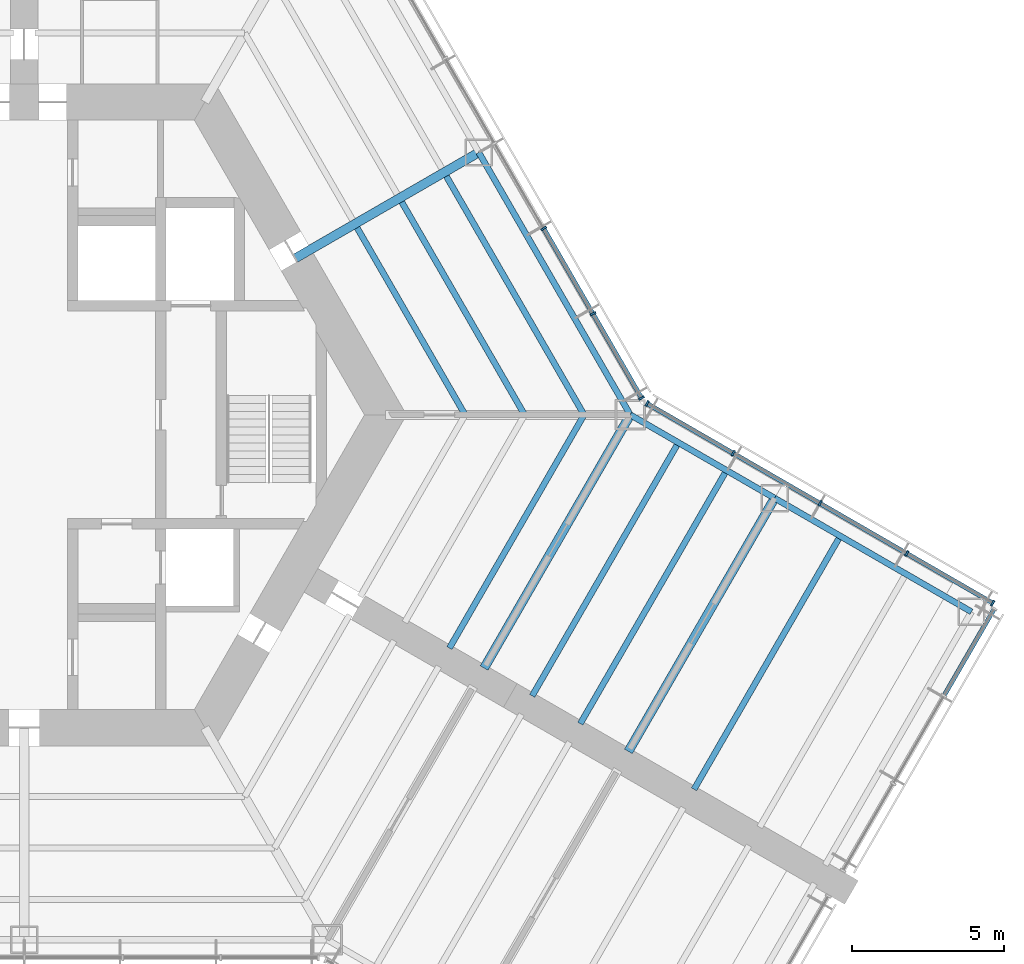
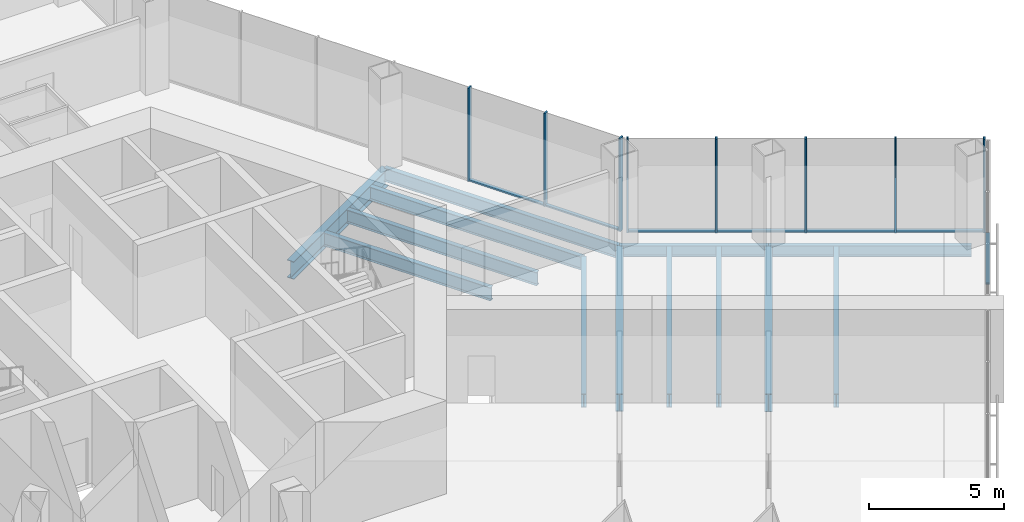
# One storey, part 5 of 15: 15 members, 13 beams, 3 elements without a shape of their own.
"""IFC4 building model written with IfcOpenShell, lengths in metres."""

from ifc_helpers import new_model, si_unit, direction, frame, origin, origin_2d, place, context, subcontext, project, spatial, rectangle, i_section, extrude, material, material_profile, profile_set, type_object, element, aggregate, save


model = new_model("IFC4")

# Units and contexts
model_context = context("Model", 3, precision=1e-05, world=origin(), true_north=direction((0.0, 1.0)))
body_context = subcontext(model_context, "Body", "Model", "MODEL_VIEW")
ifc_project = project(units=[si_unit("LENGTHUNIT", "METRE"), si_unit("AREAUNIT", "SQUARE_METRE"), si_unit("VOLUMEUNIT", "CUBIC_METRE"), si_unit("PLANEANGLEUNIT", "RADIAN"), si_unit("MASSUNIT", "GRAM", prefix="KILO")], contexts=[model_context])

# Site, building, storey
site_placement = place(None, origin())
site = spatial("IfcSite", under=ifc_project, at=site_placement, CompositionType="ELEMENT")
building_placement = place(site_placement, origin())
building = spatial("IfcBuilding", under=site, at=building_placement, Name="Kasaneha Research Tower", CompositionType="ELEMENT")
storey_placement = place(building_placement, frame((0.0, 0.0, 35.199951171875)))
storey = spatial("IfcBuildingStorey", under=building, at=storey_placement, Name="L09", CompositionType="ELEMENT", Elevation=35.199951171875)

# Beams
ifc_material_1 = material(Name="Steel SN490B", Category="steel")
ifc_material_profile_1 = material_profile(ifc_material_1, i_section(OverallWidth=0.199951171875, OverallDepth=0.60009765625, WebThickness=0.010986328125, FlangeThickness=0.01708984375, FilletRadius=0.012939453125, at=origin_2d()), Name="H-600x200x11x17")
ifc_profile_set_1 = profile_set([ifc_material_profile_1], Name="Steel SN490B")
beam_type_1 = type_object("IfcBeamType", Name="B1-2 secondary beam H-600x200x11x17", PredefinedType="JOIST", material=ifc_profile_set_1)
beam_1_placement = place(storey_placement, frame((14.54931640625, 0.0, -0.469970703125), z_axis=(-0.500016104636, 0.866016105569, 0.0), x_axis=(-0.866016105569, -0.500016104636, 0.0)))
element("IfcBeam", 1, at=beam_1_placement, inside=storey, type_object=beam_type_1, Name="Secondary beam RS030L1 L09", PredefinedType="JOIST", context=body_context, shape_type="SweptSolid", body=[
    extrude(i_section(OverallWidth=0.199951171875, OverallDepth=0.60009765625, WebThickness=0.010986328125, FlangeThickness=0.01708984375, FilletRadius=0.012939453125, at=origin_2d()), origin(), (0.0, 0.0, 1.0), 7.124755859375),
])
beam_2_placement = place(storey_placement, frame((16.51220703125, 0.0, -0.469970703125), z_axis=(-0.49999707157, 0.866027094508, 0.0), x_axis=(-0.866027094508, -0.49999707157, 0.0)))
element("IfcBeam", 2, at=beam_2_placement, inside=storey, type_object=beam_type_1, Name="Secondary beam RS030L2 L09", PredefinedType="JOIST", context=body_context, shape_type="SweptSolid", body=[
    extrude(i_section(OverallWidth=0.199951171875, OverallDepth=0.60009765625, WebThickness=0.010986328125, FlangeThickness=0.01708984375, FilletRadius=0.012939453125, at=origin_2d()), origin(), (0.0, 0.0, 1.0), 8.10595703125),
])
beam_3_placement = place(storey_placement, frame((18.47509765625, 0.0, -0.469970703125), z_axis=(-0.499990665392, 0.866030793056, 0.0), x_axis=(-0.866030793056, -0.499990665392, 0.0)))
element("IfcBeam", 3, at=beam_3_placement, inside=storey, type_object=beam_type_1, Name="Secondary beam RS030L3 L09", PredefinedType="JOIST", context=body_context, shape_type="SweptSolid", body=[
    extrude(i_section(OverallWidth=0.199951171875, OverallDepth=0.60009765625, WebThickness=0.010986328125, FlangeThickness=0.01708984375, FilletRadius=0.012939453125, at=origin_2d()), origin(), (0.0, 0.0, 1.0), 9.087646484375),
])
beam_4_placement = place(storey_placement, frame((18.47509765625, 0.0, -0.469970703125), z_axis=(-0.499988779951, -0.866031881586, 0.0), x_axis=(0.866031881586, -0.499988779951, 0.0)))
element("IfcBeam", 4, at=beam_4_placement, inside=storey, type_object=beam_type_1, Name="Secondary beam RS330R3 L09", PredefinedType="JOIST", context=body_context, shape_type="SweptSolid", body=[
    extrude(i_section(OverallWidth=0.199951171875, OverallDepth=0.60009765625, WebThickness=0.010986328125, FlangeThickness=0.01708984375, FilletRadius=0.012939453125, at=origin_2d()), origin(), (0.0, 0.0, 1.0), 8.887451171875),
])
ifc_material_2 = material(Name="Steel SN490B", Category="steel")
ifc_material_profile_2 = material_profile(ifc_material_2, i_section(OverallWidth=0.198974609375, OverallDepth=0.595947265625, WebThickness=0.010009765625, FlangeThickness=0.014892578125, FilletRadius=0.012939453125, at=origin_2d()), Name="H-596x199x10x15")
ifc_profile_set_2 = profile_set([ifc_material_profile_2], Name="Steel SN490B")
beam_type_2 = type_object("IfcBeamType", Name="B2-2 secondary beam H-596x199x10x15", PredefinedType="JOIST", material=ifc_profile_set_2)
beam_5_placement = place(storey_placement, frame((21.587646484375, -0.916748046875, -0.468017578125), z_axis=(-0.499994742786, -0.866028439017, 0.0), x_axis=(0.866028439017, -0.499994742786, 0.0)))
element("IfcBeam", 5, at=beam_5_placement, inside=storey, type_object=beam_type_2, Name="Secondary beam WBCN1 L09", PredefinedType="JOIST", context=body_context, shape_type="SweptSolid", body=[
    extrude(i_section(OverallWidth=0.198974609375, OverallDepth=0.595947265625, WebThickness=0.010009765625, FlangeThickness=0.014892578125, FilletRadius=0.012939453125, at=origin_2d()), origin(), (0.0, 0.0, 1.0), 9.64990234375),
])
beam_6_placement = place(storey_placement, frame((23.175537109375, -1.833251953125, -0.468017578125), z_axis=(-0.500013717211, -0.866017484004, 0.0), x_axis=(0.866017484004, -0.500013717211, 0.0)))
element("IfcBeam", 6, at=beam_6_placement, inside=storey, type_object=beam_type_2, Name="Secondary beam WBCN2 L09", PredefinedType="JOIST", context=body_context, shape_type="SweptSolid", body=[
    extrude(i_section(OverallWidth=0.198974609375, OverallDepth=0.595947265625, WebThickness=0.010009765625, FlangeThickness=0.014892578125, FilletRadius=0.012939453125, at=origin_2d()), origin(), (0.0, 0.0, 1.0), 9.650146484375),
])
beam_7_placement = place(storey_placement, frame((26.92822265625, -4.0, -0.468017578125), z_axis=(-0.499994742786, -0.866028439017, 0.0), x_axis=(0.866028439017, -0.499994742786, 0.0)))
element("IfcBeam", 7, at=beam_7_placement, inside=storey, type_object=beam_type_2, Name="Secondary beam WBCN3 L09", PredefinedType="JOIST", context=body_context, shape_type="SweptSolid", body=[
    extrude(i_section(OverallWidth=0.198974609375, OverallDepth=0.595947265625, WebThickness=0.010009765625, FlangeThickness=0.014892578125, FilletRadius=0.012939453125, at=origin_2d()), origin(), (0.0, 0.0, 1.0), 9.64990234375),
])

# Curtain wall, members
ifc_material_3 = material(Name="Glass and aluminium", Category="aluminium")
curtain_wall_type = type_object("IfcCurtainWallType", Name="Dry laboratory curtain wall", PredefinedType="USERDEFINED", material=ifc_material_3)
curtain_wall_1_placement = place(storey_placement, origin())
curtain_wall_1 = element("IfcCurtainWall", 8, at=curtain_wall_1_placement, inside=storey, type_object=curtain_wall_type, Name="CW-L2 L09 run 06a", ObjectType="UNITISED CURTAIN WALL", PredefinedType="USERDEFINED")
ifc_material_4 = material(Name="Aluminium 6063-T6", Category="aluminium")
ifc_material_profile_3 = material_profile(ifc_material_4, rectangle(XDim=0.06494140625, YDim=0.199951171875, at=origin_2d()), Name="CW-L2 mullion 65x200")
ifc_profile_set_3 = profile_set([ifc_material_profile_3], Name="Aluminium 6063-T6")
member_type_1 = type_object("IfcMemberType", Name="CW-L2 mullion", PredefinedType="MULLION", material=ifc_profile_set_3)
member_1_placement = place(storey_placement, frame((31.963134765625, -6.214111328125, 0.0), z_axis=(0.0, 0.0, 1.0), x_axis=(-0.866025411464, 0.499999986699, 0.0)))
member_1 = element("IfcMember", 9, at=member_1_placement, type_object=member_type_1, Name="CW-L2 mullion 1", PredefinedType="MULLION", context=body_context, shape_type="SweptSolid", body=[
    extrude(rectangle(XDim=0.06494140625, YDim=0.199951171875, at=origin_2d()), origin(), (0.0, 0.0, 1.0), 4.199951171875),
])
member_2_placement = place(storey_placement, frame((29.125, -4.575439453125, 0.0), z_axis=(0.0, 0.0, 1.0), x_axis=(-0.866025411464, 0.499999986699, 0.0)))
member_2 = element("IfcMember", 10, at=member_2_placement, type_object=member_type_1, Name="CW-L2 mullion 2", PredefinedType="MULLION", context=body_context, shape_type="SweptSolid", body=[
    extrude(rectangle(XDim=0.06494140625, YDim=0.199951171875, at=origin_2d()), origin(), (0.0, 0.0, 1.0), 4.199951171875),
])
member_3_placement = place(storey_placement, frame((26.258544921875, -2.920654296875, 0.0), z_axis=(0.0, 0.0, 1.0), x_axis=(-0.866025411464, 0.499999986699, 0.0)))
member_3 = element("IfcMember", 11, at=member_3_placement, type_object=member_type_1, Name="CW-L2 mullion 3", PredefinedType="MULLION", context=body_context, shape_type="SweptSolid", body=[
    extrude(rectangle(XDim=0.06494140625, YDim=0.199951171875, at=origin_2d()), origin(), (0.0, 0.0, 1.0), 4.199951171875),
])
member_4_placement = place(storey_placement, frame((23.39208984375, -1.265625, 0.0), z_axis=(0.0, 0.0, 1.0), x_axis=(-0.866025411464, 0.499999986699, 0.0)))
member_4 = element("IfcMember", 12, at=member_4_placement, type_object=member_type_1, Name="CW-L2 mullion 4", PredefinedType="MULLION", context=body_context, shape_type="SweptSolid", body=[
    extrude(rectangle(XDim=0.06494140625, YDim=0.199951171875, at=origin_2d()), origin(), (0.0, 0.0, 1.0), 4.199951171875),
])
member_5_placement = place(storey_placement, frame((20.553955078125, 0.373046875, 0.0), z_axis=(0.0, 0.0, 1.0), x_axis=(-0.866025411464, 0.499999986699, 0.0)))
member_5 = element("IfcMember", 13, at=member_5_placement, type_object=member_type_1, Name="CW-L2 mullion 5", PredefinedType="MULLION", context=body_context, shape_type="SweptSolid", body=[
    extrude(rectangle(XDim=0.06494140625, YDim=0.199951171875, at=origin_2d()), origin(), (0.0, 0.0, 1.0), 4.199951171875),
])

curtain_wall_2_placement = place(storey_placement, origin())
curtain_wall_2 = element("IfcCurtainWall", 14, at=curtain_wall_2_placement, inside=storey, type_object=curtain_wall_type, Name="CW-L2 L09 run 07a", ObjectType="UNITISED CURTAIN WALL", PredefinedType="USERDEFINED")
member_6_placement = place(storey_placement, frame((20.373046875, 0.553955078125, 0.0), z_axis=(0.0, 0.0, 1.0), x_axis=(-0.49999996188, 0.866025425793, 0.0)))
member_6 = element("IfcMember", 15, at=member_6_placement, type_object=member_type_1, Name="CW-L2 mullion 1", PredefinedType="MULLION", context=body_context, shape_type="SweptSolid", body=[
    extrude(rectangle(XDim=0.06494140625, YDim=0.199951171875, at=origin_2d()), origin(), (0.0, 0.0, 1.0), 4.199951171875),
])
member_7_placement = place(storey_placement, frame((18.76611328125, 3.33740234375, 0.0), z_axis=(0.0, 0.0, 1.0), x_axis=(-0.49999996188, 0.866025425793, 0.0)))
member_7 = element("IfcMember", 16, at=member_7_placement, type_object=member_type_1, Name="CW-L2 mullion 2", PredefinedType="MULLION", context=body_context, shape_type="SweptSolid", body=[
    extrude(rectangle(XDim=0.06494140625, YDim=0.199951171875, at=origin_2d()), origin(), (0.0, 0.0, 1.0), 4.199951171875),
])
member_8_placement = place(storey_placement, frame((17.142822265625, 6.148681640625, 0.0), z_axis=(0.0, 0.0, 1.0), x_axis=(-0.49999996188, 0.866025425793, 0.0)))
member_8 = element("IfcMember", 17, at=member_8_placement, type_object=member_type_1, Name="CW-L2 mullion 3", PredefinedType="MULLION", context=body_context, shape_type="SweptSolid", body=[
    extrude(rectangle(XDim=0.06494140625, YDim=0.199951171875, at=origin_2d()), origin(), (0.0, 0.0, 1.0), 4.199951171875),
])

# Curtain wall, member
curtain_wall_3_placement = place(storey_placement, origin())
curtain_wall_3 = element("IfcCurtainWall", 18, at=curtain_wall_3_placement, inside=storey, type_object=curtain_wall_type, Name="CW-L2 L09 run 05a", ObjectType="UNITISED CURTAIN WALL", PredefinedType="USERDEFINED")
ifc_material_5 = material(Name="Aluminium 6063-T6", Category="aluminium")
ifc_material_profile_4 = material_profile(ifc_material_5, rectangle(XDim=0.14990234375, YDim=0.06494140625, at=origin_2d()), Name="CW-L2 transom 150x65")
ifc_profile_set_4 = profile_set([ifc_material_profile_4], Name="Aluminium 6063-T6")
member_type_2 = type_object("IfcMemberType", Name="CW-L2 transom", PredefinedType="USERDEFINED", material=ifc_profile_set_4)
member_9_placement = place(storey_placement, frame((30.369140625, -9.239990234375, 0.032470703125), z_axis=(0.500006189695, 0.866021830133, 0.0), x_axis=(-0.866021830133, 0.500006189695, 0.0)))
member_9 = element("IfcMember", 19, at=member_9_placement, type_object=member_type_2, Name="CW-L2 transom 3", ObjectType="TRANSOM", PredefinedType="USERDEFINED", context=body_context, shape_type="SweptSolid", body=[
    extrude(rectangle(XDim=0.14990234375, YDim=0.06494140625, at=origin_2d()), origin(), (0.0, 0.0, 1.0), 3.25244140625),
])
aggregate(curtain_wall_3, [member_9])

# Member
member_10_placement = place(storey_placement, frame((31.93505859375, -6.197998046875, 0.032470703125), z_axis=(-0.866022320763, 0.500005339912, 0.0), x_axis=(-0.500005339912, -0.866022320763, 0.0)))
member_10 = element("IfcMember", 20, at=member_10_placement, type_object=member_type_2, Name="CW-L2 transom 1", ObjectType="TRANSOM", PredefinedType="USERDEFINED", context=body_context, shape_type="SweptSolid", body=[
    extrude(rectangle(XDim=0.14990234375, YDim=0.06494140625, at=origin_2d()), origin(), (0.0, 0.0, 1.0), 3.21240234375),
])

member_11_placement = place(storey_placement, frame((29.096923828125, -4.559326171875, 0.032470703125), z_axis=(-0.866021460221, 0.500006830391, 0.0), x_axis=(-0.500006830391, -0.866021460221, 0.0)))
member_11 = element("IfcMember", 21, at=member_11_placement, type_object=member_type_2, Name="CW-L2 transom 2", ObjectType="TRANSOM", PredefinedType="USERDEFINED", context=body_context, shape_type="SweptSolid", body=[
    extrude(rectangle(XDim=0.14990234375, YDim=0.06494140625, at=origin_2d()), origin(), (0.0, 0.0, 1.0), 3.2451171875),
])

member_12_placement = place(storey_placement, frame((26.23046875, -2.904296875, 0.032470703125), z_axis=(-0.866035229914, 0.499982980259, 0.0), x_axis=(-0.499982980259, -0.866035229914, 0.0)))
member_12 = element("IfcMember", 22, at=member_12_placement, type_object=member_type_2, Name="CW-L2 transom 3", ObjectType="TRANSOM", PredefinedType="USERDEFINED", context=body_context, shape_type="SweptSolid", body=[
    extrude(rectangle(XDim=0.14990234375, YDim=0.06494140625, at=origin_2d()), origin(), (0.0, 0.0, 1.0), 3.24462890625),
])

member_13_placement = place(storey_placement, frame((23.364013671875, -1.24951171875, 0.032470703125), z_axis=(-0.866022320763, 0.500005339912, 0.0), x_axis=(-0.500005339912, -0.866022320763, 0.0)))
member_13 = element("IfcMember", 23, at=member_13_placement, type_object=member_type_2, Name="CW-L2 transom 4", ObjectType="TRANSOM", PredefinedType="USERDEFINED", context=body_context, shape_type="SweptSolid", body=[
    extrude(rectangle(XDim=0.14990234375, YDim=0.06494140625, at=origin_2d()), origin(), (0.0, 0.0, 1.0), 3.21240234375),
])

aggregate(curtain_wall_1, [member_1, member_2, member_3, member_4, member_5, member_10, member_11, member_12, member_13])

member_14_placement = place(storey_placement, frame((20.356689453125, 0.58203125, 0.032470703125), z_axis=(-0.49999985423, 0.866025487945, 0.0), x_axis=(-0.866025487945, -0.49999985423, 0.0)))
member_14 = element("IfcMember", 24, at=member_14_placement, type_object=member_type_2, Name="CW-L2 transom 1", ObjectType="TRANSOM", PredefinedType="USERDEFINED", context=body_context, shape_type="SweptSolid", body=[
    extrude(rectangle(XDim=0.14990234375, YDim=0.06494140625, at=origin_2d()), origin(), (0.0, 0.0, 1.0), 3.14892578125),
])

member_15_placement = place(storey_placement, frame((18.749755859375, 3.365478515625, 0.032470703125), z_axis=(-0.499977104415, 0.866038622153, 0.0), x_axis=(-0.866038622153, -0.499977104415, 0.0)))
member_15 = element("IfcMember", 25, at=member_15_placement, type_object=member_type_2, Name="CW-L2 transom 2", ObjectType="TRANSOM", PredefinedType="USERDEFINED", context=body_context, shape_type="SweptSolid", body=[
    extrude(rectangle(XDim=0.14990234375, YDim=0.06494140625, at=origin_2d()), origin(), (0.0, 0.0, 1.0), 3.181396484375),
])

aggregate(curtain_wall_2, [member_6, member_7, member_8, member_14, member_15])

# Beams
ifc_material_6 = material(Name="Steel SN490B", Category="steel")
ifc_material_profile_5 = material_profile(ifc_material_6, i_section(OverallWidth=0.300048828125, OverallDepth=0.800048828125, WebThickness=0.013916015625, FlangeThickness=0.02587890625, FilletRadius=0.01806640625, at=origin_2d()), Name="H-800x300x14x26")
ifc_profile_set_5 = profile_set([ifc_material_profile_5], Name="Steel SN490B")
beam_type_3 = type_object("IfcBeamType", Name="G2-2 radial girder H-800x300x14x26", PredefinedType="BEAM", material=ifc_profile_set_5)
beam_8_placement = place(storey_placement, frame((8.941650390625, 5.16259765625, -0.570068359375), z_axis=(0.866039713508, 0.499975214012, 0.0), x_axis=(-0.499975214012, 0.866039713508, 0.0)))
element("IfcBeam", 26, at=beam_8_placement, inside=storey, type_object=beam_type_3, Name="Radial girder RM030 L09", PredefinedType="BEAM", context=body_context, shape_type="SweptSolid", body=[
    extrude(i_section(OverallWidth=0.300048828125, OverallDepth=0.800048828125, WebThickness=0.013916015625, FlangeThickness=0.02587890625, FilletRadius=0.01806640625, at=origin_2d()), origin(), (0.0, 0.0, 1.0), 6.995361328125),
])
ifc_material_7 = material(Name="Steel SN490B", Category="steel")
ifc_material_profile_6 = material_profile(ifc_material_7, i_section(OverallWidth=0.300048828125, OverallDepth=0.7919921875, WebThickness=0.013916015625, FlangeThickness=0.02197265625, FilletRadius=0.01806640625, at=origin_2d()), Name="H-792x300x14x22")
ifc_profile_set_6 = profile_set([ifc_material_profile_6], Name="Steel SN490B")
beam_type_4 = type_object("IfcBeamType", Name="G3-2 plate edge girder H-792x300x14x22", PredefinedType="BEAM", material=ifc_profile_set_6)
beam_9_placement = place(storey_placement, frame((20.0, 0.0, -0.56591796875), z_axis=(-0.499994742786, -0.866028439017, 0.0), x_axis=(0.866028439017, -0.499994742786, 0.0)))
element("IfcBeam", 27, at=beam_9_placement, inside=storey, type_object=beam_type_4, Name="Plate edge girder PECN L09", PredefinedType="BEAM", context=body_context, shape_type="SweptSolid", body=[
    extrude(i_section(OverallWidth=0.300048828125, OverallDepth=0.7919921875, WebThickness=0.013916015625, FlangeThickness=0.02197265625, FilletRadius=0.01806640625, at=origin_2d()), origin(), (0.0, 0.0, 1.0), 9.64990234375),
])
ifc_material_8 = material(Name="Steel SN490B", Category="steel")
ifc_material_profile_7 = material_profile(ifc_material_8, i_section(OverallWidth=0.300048828125, OverallDepth=0.800048828125, WebThickness=0.013916015625, FlangeThickness=0.02587890625, FilletRadius=0.01806640625, at=origin_2d()), Name="H-800x300x14x26")
ifc_profile_set_7 = profile_set([ifc_material_profile_7], Name="Steel SN490B")
beam_type_5 = type_object("IfcBeamType", Name="G4-2 wing girder H-800x300x14x26", PredefinedType="BEAM", material=ifc_profile_set_7)
beam_10_placement = place(storey_placement, frame((24.76318359375, -2.75, -0.570068359375), z_axis=(-0.499994742786, -0.866028439017, 0.0), x_axis=(0.866028439017, -0.499994742786, 0.0)))
element("IfcBeam", 28, at=beam_10_placement, inside=storey, type_object=beam_type_5, Name="Wing girder WGCN L09", PredefinedType="BEAM", context=body_context, shape_type="SweptSolid", body=[
    extrude(i_section(OverallWidth=0.300048828125, OverallDepth=0.800048828125, WebThickness=0.013916015625, FlangeThickness=0.02587890625, FilletRadius=0.01806640625, at=origin_2d()), origin(), (0.0, 0.0, 1.0), 9.64990234375),
])
ifc_material_9 = material(Name="Steel SN490B", Category="steel")
ifc_material_profile_8 = material_profile(ifc_material_9, i_section(OverallWidth=0.199951171875, OverallDepth=0.60009765625, WebThickness=0.010986328125, FlangeThickness=0.01708984375, FilletRadius=0.012939453125, at=origin_2d()), Name="H-600x200x11x17")
ifc_profile_set_8 = profile_set([ifc_material_profile_8], Name="Steel SN490B")
beam_type_6 = type_object("IfcBeamType", Name="SB1-2 spandrel beam H-600x200x11x17", PredefinedType="SPANDREL", material=ifc_profile_set_8)
beam_11_placement = place(storey_placement, frame((20.0, 0.0, -0.469970703125), z_axis=(-0.500004234368, 0.866022959057, 0.0), x_axis=(-0.866022959057, -0.500004234368, 0.0)))
element("IfcBeam", 29, at=beam_11_placement, inside=storey, type_object=beam_type_6, Name="Spandrel beam SR030L L09", PredefinedType="SPANDREL", context=body_context, shape_type="SweptSolid", body=[
    extrude(i_section(OverallWidth=0.199951171875, OverallDepth=0.60009765625, WebThickness=0.010986328125, FlangeThickness=0.01708984375, FilletRadius=0.012939453125, at=origin_2d()), origin(), (0.0, 0.0, 1.0), 10.0),
])
ifc_material_10 = material(Name="Steel SN490B", Category="steel")
ifc_material_profile_9 = material_profile(ifc_material_10, i_section(OverallWidth=0.199951171875, OverallDepth=0.5, WebThickness=0.010009765625, FlangeThickness=0.01611328125, FilletRadius=0.012939453125, at=origin_2d()), Name="H-500x200x10x16")
ifc_profile_set_9 = profile_set([ifc_material_profile_9], Name="Steel SN490B")
beam_type_7 = type_object("IfcBeamType", Name="SB2-2 spandrel beam H-500x200x10x16", PredefinedType="SPANDREL", material=ifc_profile_set_9)
beam_12_placement = place(storey_placement, frame((20.0, 0.0, -0.419921875), z_axis=(0.866027397988, -0.499996545922, 0.0), x_axis=(0.499996545922, 0.866027397988, 0.0)))
element("IfcBeam", 30, at=beam_12_placement, inside=storey, type_object=beam_type_7, Name="Spandrel beam WSCN1 L09", PredefinedType="SPANDREL", context=body_context, shape_type="SweptSolid", body=[
    extrude(i_section(OverallWidth=0.199951171875, OverallDepth=0.5, WebThickness=0.010009765625, FlangeThickness=0.01611328125, FilletRadius=0.012939453125, at=origin_2d()), origin(), (0.0, 0.0, 1.0), 5.5),
])
beam_13_placement = place(storey_placement, frame((24.76318359375, -2.75, -0.419921875), z_axis=(0.866022959057, -0.500004234368, 0.0), x_axis=(0.500004234368, 0.866022959057, 0.0)))
element("IfcBeam", 31, at=beam_13_placement, inside=storey, type_object=beam_type_7, Name="Spandrel beam WSCN2 L09", PredefinedType="SPANDREL", context=body_context, shape_type="SweptSolid", body=[
    extrude(i_section(OverallWidth=0.199951171875, OverallDepth=0.5, WebThickness=0.010009765625, FlangeThickness=0.01611328125, FilletRadius=0.012939453125, at=origin_2d()), origin(), (0.0, 0.0, 1.0), 7.5),
])

save(model, "model.ifc")
